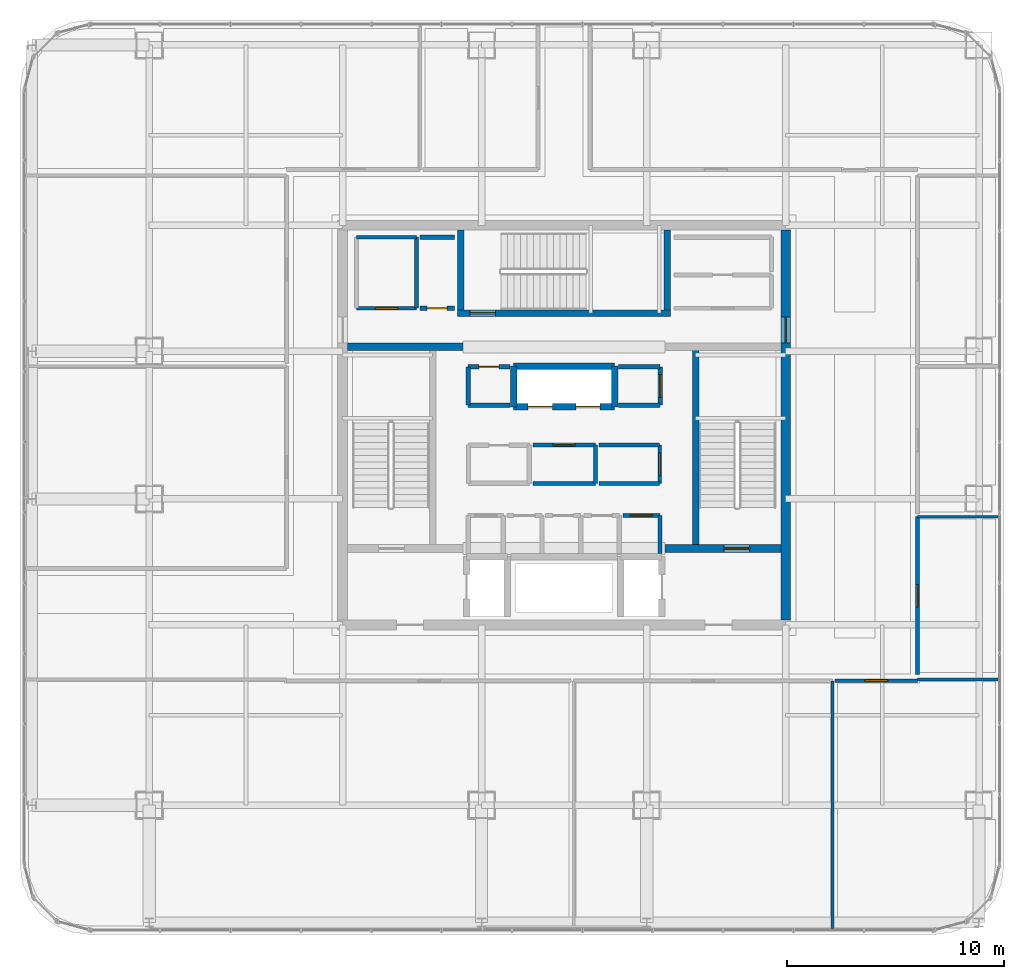
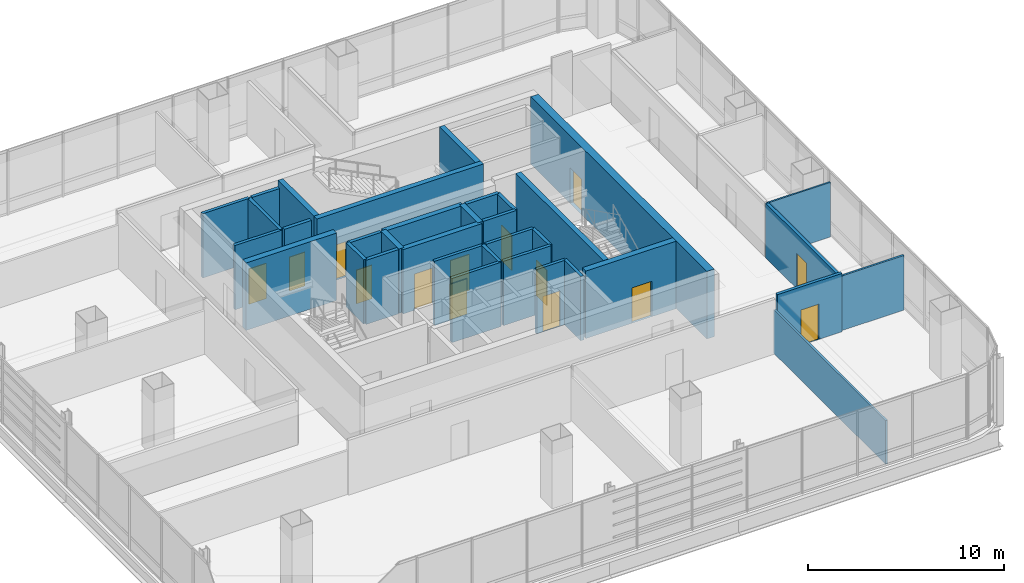
# One storey, part 36 of 43: 35 walls, 14 doors, 14 openings.
"""IFC4 building model written with IfcOpenShell, lengths in metres."""

from ifc_helpers import new_model, si_unit, direction, frame, frame_2d, origin, place, context, subcontext, project, spatial, rectangle, extrude, material, layer, layer_set, type_object, element, fill, save


model = new_model("IFC4")

# Units and contexts
model_context = context("Model", 3, precision=1e-05, world=origin(), true_north=direction((0.0, 1.0)))
body_context = subcontext(model_context, "Body", "Model", "MODEL_VIEW")
ifc_project = project(units=[si_unit("LENGTHUNIT", "METRE"), si_unit("AREAUNIT", "SQUARE_METRE"), si_unit("VOLUMEUNIT", "CUBIC_METRE"), si_unit("PLANEANGLEUNIT", "RADIAN"), si_unit("MASSUNIT", "GRAM", prefix="KILO")], contexts=[model_context])

# Site, building, storey
site_placement = place(None, origin())
site = spatial("IfcSite", under=ifc_project, at=site_placement, CompositionType="ELEMENT")
building_placement = place(site_placement, origin())
building = spatial("IfcBuilding", under=site, at=building_placement, Name="Punatoya Terracotta Tower", CompositionType="ELEMENT")
storey_placement = place(building_placement, frame((0.0, 0.0, 321.60009765625)))
storey = spatial("IfcBuildingStorey", under=building, at=storey_placement, Name="L76", CompositionType="ELEMENT", Elevation=321.60009765625)

# Wall, opening, door
ifc_material_1 = material(Name="Concrete C50/60", Category="concrete")
ifc_layer_1 = layer(ifc_material_1, 0.449951171875)
ifc_layer_set_1 = layer_set([ifc_layer_1], Name="Concrete C50/60")
wall_type_1 = type_object("IfcWallType", Name="WL-COR-450", PredefinedType="SHEAR", material=ifc_layer_set_1)
wall_1_placement = place(storey_placement, frame((10.199951171875, 8.97509765625, 0.0), z_axis=(0.0, 0.0, 1.0), x_axis=(0.0, -1.0, 0.0)))
wall_1 = element("IfcWall", 1, at=wall_1_placement, inside=storey, type_object=wall_type_1, Name="L76 Core Shear Wall E", PredefinedType="SHEAR", context=body_context, shape_type="SweptSolid", body=[
    extrude(rectangle(XDim=17.9501953125, YDim=0.449951171875, at=frame_2d((8.97509765625, 0.0))), origin(), (0.0, 0.0, 1.0), 4.199951171875),
])
opening_1_placement = place(wall_1_placement, frame((4.0048828125, 0.0, 0.0)))
opening_1 = element("IfcOpeningElement", 2, at=opening_1_placement, cuts=wall_1, Name="Opening SD-01", PredefinedType="OPENING", context=body_context, shape_type="SweptSolid", body=[
    extrude(rectangle(XDim=1.179931640625, YDim=2.199951171875, at=frame_2d((0.58984375, 1.10009765625))), frame((0.0, 0.23486328125, 0.0), z_axis=(0.0, -1.0, 0.0), x_axis=(1.0, 0.0, 0.0)), (0.0, 0.0, 1.0), 0.469970703125),
])
ifc_material_2 = material(Name="Galvanised Steel Pressurized Stair Fire Door", Category="steel")
door_type_1 = type_object("IfcDoorType", Name="DR-STR-1180", OperationType="NOTDEFINED", PredefinedType="DOOR", material=ifc_material_2)
door_1_placement = place(opening_1_placement, origin())
door_1 = element("IfcDoor", 3, at=door_1_placement, inside=storey, type_object=door_type_1, Name="L76 Central Lift Lobby East Fire Door", OperationType="SINGLE_SWING_RIGHT", OverallHeight=2.199951171875, OverallWidth=1.179931640625, PredefinedType="DOOR", context=body_context, shape_type="SweptSolid", body=[
    extrude(rectangle(XDim=1.179931640625, YDim=2.199951171875, at=frame_2d((0.58984375, 1.10009765625))), frame((0.0, 0.02490234375, 0.0), z_axis=(0.0, -1.0, 0.0), x_axis=(1.0, 0.0, 0.0)), (0.0, 0.0, 1.0), 0.050048828125),
])
fill(opening_1, door_1)

# Wall
ifc_material_3 = material(Name="Gypsum Fireboard + Steel Stud", Category="steel")
ifc_layer_2 = layer(ifc_material_3, 0.179931640625)
ifc_layer_set_2 = layer_set([ifc_layer_2], Name="Gypsum Fireboard + Steel Stud")
wall_type_2 = type_object("IfcWallType", Name="WL-CORR-180", PredefinedType="PARTITIONING", material=ifc_layer_set_2)
wall_2_placement = place(storey_placement, frame((4.419921875, -5.89990234375, 0.0), z_axis=(0.0, 0.0, 1.0), x_axis=(0.0, 1.0, 0.0)))
element("IfcWall", 4, at=wall_2_placement, inside=storey, type_object=wall_type_2, Name="L76 Core Focus Booth Partition 10", PredefinedType="PARTITIONING", context=body_context, shape_type="SweptSolid", body=[
    extrude(rectangle(XDim=1.739990234375, YDim=0.179931640625, at=frame_2d((0.8701171875, 0.0))), origin(), (0.0, 0.0, 1.0), 4.0),
])

# Wall, opening, door
wall_3_placement = place(storey_placement, frame((4.419921875, -4.159912109375, 0.0), z_axis=(0.0, 0.0, 1.0), x_axis=(-1.0, 0.0, 0.0)))
wall_3 = element("IfcWall", 5, at=wall_3_placement, inside=storey, type_object=wall_type_2, Name="L76 Core Focus Booth Partition 11", PredefinedType="PARTITIONING", context=body_context, shape_type="SweptSolid", body=[
    extrude(rectangle(XDim=1.719970703125, YDim=0.179931640625, at=frame_2d((0.85986328125, 0.0))), origin(), (0.0, 0.0, 1.0), 4.0),
])
opening_2_placement = place(wall_3_placement, frame((0.35009765625, 0.0, 0.0)))
opening_2 = element("IfcOpeningElement", 6, at=opening_2_placement, cuts=wall_3, Name="Opening MD-01", PredefinedType="OPENING", context=body_context, shape_type="SweptSolid", body=[
    extrude(rectangle(XDim=1.02001953125, YDim=2.199951171875, at=frame_2d((0.510009765625, 1.10009765625))), frame((0.0, 0.099853515625, 0.0), z_axis=(0.0, -1.0, 0.0), x_axis=(1.0, 0.0, 0.0)), (0.0, 0.0, 1.0), 0.199951171875),
])
ifc_material_4 = material(Name="Aluminium + Acoustic Glass Leaf", Category="aluminium")
door_type_2 = type_object("IfcDoorType", Name="DR-MTG-1020", OperationType="NOTDEFINED", PredefinedType="DOOR", material=ifc_material_4)
door_2_placement = place(opening_2_placement, origin())
door_2 = element("IfcDoor", 7, at=door_2_placement, inside=storey, type_object=door_type_2, Name="L76 Focus Booth Door", OperationType="SINGLE_SWING_RIGHT", OverallHeight=2.199951171875, OverallWidth=1.02001953125, PredefinedType="DOOR", context=body_context, shape_type="SweptSolid", body=[
    extrude(rectangle(XDim=1.02001953125, YDim=2.199951171875, at=frame_2d((0.510009765625, 1.10009765625))), frame((0.0, 0.02490234375, 0.0), z_axis=(0.0, -1.0, 0.0), x_axis=(1.0, 0.0, 0.0)), (0.0, 0.0, 1.0), 0.050048828125),
])
fill(opening_2, door_2)

# Wall
wall_4_placement = place(storey_placement, frame((1.43994140625, -2.679931640625, 0.0), z_axis=(0.0, 0.0, 1.0), x_axis=(0.0, 1.0, 0.0)))
element("IfcWall", 8, at=wall_4_placement, inside=storey, type_object=wall_type_2, Name="L76 Center Core Briefing Pod Partition 16", PredefinedType="PARTITIONING", context=body_context, shape_type="SweptSolid", body=[
    extrude(rectangle(XDim=1.760009765625, YDim=0.179931640625, at=frame_2d((0.8798828125, 0.0))), origin(), (0.0, 0.0, 1.0), 4.0),
])

# Wall, opening, door
wall_5_placement = place(storey_placement, frame((1.43994140625, -0.919921875, 0.0), z_axis=(0.0, 0.0, 1.0), x_axis=(-1.0, 0.0, 0.0)))
wall_5 = element("IfcWall", 9, at=wall_5_placement, inside=storey, type_object=wall_type_2, Name="L76 Center Core Briefing Pod Partition 17", PredefinedType="PARTITIONING", context=body_context, shape_type="SweptSolid", body=[
    extrude(rectangle(XDim=2.8798828125, YDim=0.179931640625, at=frame_2d((1.43994140625, 0.0))), origin(), (0.0, 0.0, 1.0), 4.0),
])
opening_3_placement = place(wall_5_placement, frame((0.929931640625, 0.0, 0.0)))
opening_3 = element("IfcOpeningElement", 10, at=opening_3_placement, cuts=wall_5, Name="Opening MD-01", PredefinedType="OPENING", context=body_context, shape_type="SweptSolid", body=[
    extrude(rectangle(XDim=1.02001953125, YDim=2.199951171875, at=frame_2d((0.510009765625, 1.10009765625))), frame((0.0, 0.099853515625, 0.0), z_axis=(0.0, -1.0, 0.0), x_axis=(1.0, 0.0, 0.0)), (0.0, 0.0, 1.0), 0.199951171875),
])
door_3_placement = place(opening_3_placement, origin())
door_3 = element("IfcDoor", 11, at=door_3_placement, inside=storey, type_object=door_type_2, Name="L76 Center Briefing Pod Door", OperationType="SINGLE_SWING_RIGHT", OverallHeight=2.199951171875, OverallWidth=1.02001953125, PredefinedType="DOOR", context=body_context, shape_type="SweptSolid", body=[
    extrude(rectangle(XDim=1.02001953125, YDim=2.199951171875, at=frame_2d((0.510009765625, 1.10009765625))), frame((0.0, 0.02490234375, 0.0), z_axis=(0.0, -1.0, 0.0), x_axis=(1.0, 0.0, 0.0)), (0.0, 0.0, 1.0), 0.050048828125),
])
fill(opening_3, door_3)

# Wall
wall_6_placement = place(storey_placement, frame((-1.43994140625, -2.679931640625, 0.0), z_axis=(0.0, 0.0, 1.0), x_axis=(1.0, 0.0, 0.0)))
element("IfcWall", 12, at=wall_6_placement, inside=storey, type_object=wall_type_2, Name="L76 Center Core Briefing Pod Partition 18", PredefinedType="PARTITIONING", context=body_context, shape_type="SweptSolid", body=[
    extrude(rectangle(XDim=2.8798828125, YDim=0.179931640625, at=frame_2d((1.43994140625, 0.0))), origin(), (0.0, 0.0, 1.0), 4.0),
])

# Wall, opening, door
wall_7_placement = place(storey_placement, frame((4.39990234375, -2.679931640625, 0.0), z_axis=(0.0, 0.0, 1.0), x_axis=(0.0, 1.0, 0.0)))
wall_7 = element("IfcWall", 13, at=wall_7_placement, inside=storey, type_object=wall_type_2, Name="L76 Right Core Copy Room Partition 19", PredefinedType="PARTITIONING", context=body_context, shape_type="SweptSolid", body=[
    extrude(rectangle(XDim=1.760009765625, YDim=0.179931640625, at=frame_2d((0.8798828125, 0.0))), origin(), (0.0, 0.0, 1.0), 4.0),
])
opening_4_placement = place(wall_7_placement, frame((0.35498046875, 0.0, 0.0)))
opening_4 = element("IfcOpeningElement", 14, at=opening_4_placement, cuts=wall_7, Name="Opening OD-01", PredefinedType="OPENING", context=body_context, shape_type="SweptSolid", body=[
    extrude(rectangle(XDim=1.050048828125, YDim=2.199951171875, at=frame_2d((0.52490234375, 1.10009765625))), frame((0.0, 0.099853515625, 0.0), z_axis=(0.0, -1.0, 0.0), x_axis=(1.0, 0.0, 0.0)), (0.0, 0.0, 1.0), 0.199951171875),
])
ifc_material_5 = material(Name="Bengal Teak Solid-Core Leaf")
door_type_3 = type_object("IfcDoorType", Name="DR-OFF-1050", OperationType="NOTDEFINED", PredefinedType="DOOR", material=ifc_material_5)
door_4_placement = place(opening_4_placement, origin())
door_4 = element("IfcDoor", 15, at=door_4_placement, inside=storey, type_object=door_type_3, Name="L76 Right Copy Room Door", OperationType="SINGLE_SWING_LEFT", OverallHeight=2.199951171875, OverallWidth=1.050048828125, PredefinedType="DOOR", context=body_context, shape_type="SweptSolid", body=[
    extrude(rectangle(XDim=1.050048828125, YDim=2.199951171875, at=frame_2d((0.52490234375, 1.10009765625))), frame((0.0, 0.02490234375, 0.0), z_axis=(0.0, -1.0, 0.0), x_axis=(1.0, 0.0, 0.0)), (0.0, 0.0, 1.0), 0.050048828125),
])
fill(opening_4, door_4)

# Walls
for number, where, z_axis, x_axis, name in (
    (16, (4.39990234375, -0.919921875, 0.0), (0.0, 0.0, 1.0), (-1.0, 0.0, 0.0), "L76 Right Core Copy Room Partition 20"),
    (17, (1.60009765625, -2.679931640625, 0.0), (0.0, 0.0, 1.0), (1.0, 0.0, 0.0), "L76 Right Core Copy Room Partition 21"),
):
    element("IfcWall", number, at=place(storey_placement, frame(where, z_axis=z_axis, x_axis=x_axis)), inside=storey, type_object=wall_type_2, Name=name, PredefinedType="PARTITIONING", context=body_context, shape_type="SweptSolid", body=[
        extrude(rectangle(XDim=2.7998046875, YDim=0.179931640625, at=frame_2d((1.39990234375, 0.0))), origin(), (0.0, 0.0, 1.0), 4.0),
    ])
wall_8_placement = place(storey_placement, frame((-6.800048828125, 5.3798828125, 0.0), z_axis=(0.0, 0.0, 1.0), x_axis=(0.0, 1.0, 0.0)))
element("IfcWall", 18, at=wall_8_placement, inside=storey, type_object=wall_type_2, Name="L76 West Core Briefing Pod Partition 28", PredefinedType="PARTITIONING", context=body_context, shape_type="SweptSolid", body=[
    extrude(rectangle(XDim=3.27001953125, YDim=0.179931640625, at=frame_2d((1.635009765625, 0.0))), origin(), (0.0, 0.0, 1.0), 4.0),
])
wall_9_placement = place(storey_placement, frame((-6.800048828125, 8.64990234375, 0.0), z_axis=(0.0, 0.0, 1.0), x_axis=(-1.0, 0.0, 0.0)))
element("IfcWall", 19, at=wall_9_placement, inside=storey, type_object=wall_type_2, Name="L76 West Core Briefing Pod Partition 29", PredefinedType="PARTITIONING", context=body_context, shape_type="SweptSolid", body=[
    extrude(rectangle(XDim=2.75, YDim=0.179931640625, at=frame_2d((1.375, 0.0))), origin(), (0.0, 0.0, 1.0), 4.0),
])

# Wall, opening, door
wall_10_placement = place(storey_placement, frame((-9.550048828125, 5.3798828125, 0.0), z_axis=(0.0, 0.0, 1.0), x_axis=(1.0, 0.0, 0.0)))
wall_10 = element("IfcWall", 20, at=wall_10_placement, inside=storey, type_object=wall_type_2, Name="L76 West Core Briefing Pod Partition 31", PredefinedType="PARTITIONING", context=body_context, shape_type="SweptSolid", body=[
    extrude(rectangle(XDim=2.75, YDim=0.179931640625, at=frame_2d((1.375, 0.0))), origin(), (0.0, 0.0, 1.0), 4.0),
])
opening_5_placement = place(wall_10_placement, frame((0.864990234375, 0.0, 0.0)))
opening_5 = element("IfcOpeningElement", 21, at=opening_5_placement, cuts=wall_10, Name="Opening MD-01", PredefinedType="OPENING", context=body_context, shape_type="SweptSolid", body=[
    extrude(rectangle(XDim=1.02001953125, YDim=2.199951171875, at=frame_2d((0.510009765625, 1.10009765625))), frame((0.0, 0.099853515625, 0.0), z_axis=(0.0, -1.0, 0.0), x_axis=(1.0, 0.0, 0.0)), (0.0, 0.0, 1.0), 0.199951171875),
])
door_5_placement = place(opening_5_placement, origin())
door_5 = element("IfcDoor", 22, at=door_5_placement, inside=storey, type_object=door_type_2, Name="L76 West Briefing Pod Door", OperationType="SINGLE_SWING_RIGHT", OverallHeight=2.199951171875, OverallWidth=1.02001953125, PredefinedType="DOOR", context=body_context, shape_type="SweptSolid", body=[
    extrude(rectangle(XDim=1.02001953125, YDim=2.199951171875, at=frame_2d((0.510009765625, 1.10009765625))), frame((0.0, 0.02490234375, 0.0), z_axis=(0.0, -1.0, 0.0), x_axis=(1.0, 0.0, 0.0)), (0.0, 0.0, 1.0), 0.050048828125),
])
fill(opening_5, door_5)

wall_11_placement = place(storey_placement, frame((12.47607421875, -11.77001953125, 0.0), z_axis=(0.0, 0.0, 1.0), x_axis=(1.0, 0.0, 0.0)))
wall_11 = element("IfcWall", 23, at=wall_11_placement, inside=storey, type_object=wall_type_2, Name="L76 Open-Plan Project Design Office Partition 45", PredefinedType="PARTITIONING", context=body_context, shape_type="SweptSolid", body=[
    extrude(rectangle(XDim=3.7939453125, YDim=0.179931640625, at=frame_2d((1.89697265625, 0.0))), origin(), (0.0, 0.0, 1.0), 3.6337890625),
])
opening_6_placement = place(wall_11_placement, frame((1.3720703125, 0.0, 0.0)))
opening_6 = element("IfcOpeningElement", 24, at=opening_6_placement, cuts=wall_11, Name="Opening OD-01", PredefinedType="OPENING", context=body_context, shape_type="SweptSolid", body=[
    extrude(rectangle(XDim=1.050048828125, YDim=2.199951171875, at=frame_2d((0.52490234375, 1.10009765625))), frame((0.0, 0.099853515625, 0.0), z_axis=(0.0, -1.0, 0.0), x_axis=(1.0, 0.0, 0.0)), (0.0, 0.0, 1.0), 0.199951171875),
])
door_6_placement = place(opening_6_placement, origin())
door_6 = element("IfcDoor", 25, at=door_6_placement, inside=storey, type_object=door_type_3, Name="L76 Open-Plan Project Design Office Door", OperationType="SINGLE_SWING_RIGHT", OverallHeight=2.199951171875, OverallWidth=1.050048828125, PredefinedType="DOOR", context=body_context, shape_type="SweptSolid", body=[
    extrude(rectangle(XDim=1.050048828125, YDim=2.199951171875, at=frame_2d((0.52490234375, 1.10009765625))), frame((0.0, 0.02490234375, 0.0), z_axis=(0.0, -1.0, 0.0), x_axis=(1.0, 0.0, 0.0)), (0.0, 0.0, 1.0), 0.050048828125),
])
fill(opening_6, door_6)

wall_12_placement = place(storey_placement, frame((16.27001953125, -11.489990234375, 0.0), z_axis=(0.0, 0.0, 1.0), x_axis=(0.0, 1.0, 0.0)))
wall_12 = element("IfcWall", 26, at=wall_12_placement, inside=storey, type_object=wall_type_2, Name="L76 Client Strategy Boardroom Partition 47", PredefinedType="PARTITIONING", context=body_context, shape_type="SweptSolid", body=[
    extrude(rectangle(XDim=7.27197265625, YDim=0.179931640625, at=frame_2d((3.635986328125, 0.0))), origin(), (0.0, 0.0, 1.0), 3.393798828125),
])
opening_7_placement = place(wall_12_placement, frame((3.1259765625, 0.0, 0.0)))
opening_7 = element("IfcOpeningElement", 27, at=opening_7_placement, cuts=wall_12, Name="Opening MD-01", PredefinedType="OPENING", context=body_context, shape_type="SweptSolid", body=[
    extrude(rectangle(XDim=1.02001953125, YDim=2.199951171875, at=frame_2d((0.510009765625, 1.10009765625))), frame((0.0, 0.099853515625, 0.0), z_axis=(0.0, -1.0, 0.0), x_axis=(1.0, 0.0, 0.0)), (0.0, 0.0, 1.0), 0.199951171875),
])
door_7_placement = place(opening_7_placement, origin())
door_7 = element("IfcDoor", 28, at=door_7_placement, inside=storey, type_object=door_type_2, Name="L76 Client Strategy Boardroom Door", OperationType="SINGLE_SWING_LEFT", OverallHeight=2.199951171875, OverallWidth=1.02001953125, PredefinedType="DOOR", context=body_context, shape_type="SweptSolid", body=[
    extrude(rectangle(XDim=1.02001953125, YDim=2.199951171875, at=frame_2d((0.510009765625, 1.10009765625))), frame((0.0, 0.02490234375, 0.0), z_axis=(0.0, -1.0, 0.0), x_axis=(1.0, 0.0, 0.0)), (0.0, 0.0, 1.0), 0.050048828125),
])
fill(opening_7, door_7)

# Wall
ifc_material_6 = material(Name="Aluminium Framed Acoustic Glass Partition", Category="aluminium")
ifc_layer_3 = layer(ifc_material_6, 0.10009765625)
ifc_layer_set_3 = layer_set([ifc_layer_3], Name="Aluminium Framed Acoustic Glass Partition")
wall_type_3 = type_object("IfcWallType", Name="WL-GLZ-100", PredefinedType="PARTITIONING", material=ifc_layer_set_3)
wall_13_placement = place(storey_placement, frame((16.27001953125, -4.218017578125, 0.0), z_axis=(0.0, 0.0, 1.0), x_axis=(1.0, 0.0, 0.0)))
element("IfcWall", 29, at=wall_13_placement, inside=storey, type_object=wall_type_3, Name="L76 Client Strategy Boardroom Partition 46", PredefinedType="PARTITIONING", context=body_context, shape_type="SweptSolid", body=[
    extrude(rectangle(XDim=3.699951171875, YDim=0.10009765625, at=frame_2d((1.85009765625, 0.0))), origin(), (0.0, 0.0, 1.0), 3.393798828125),
])

# Wall, opening, door
ifc_material_7 = material(Name="Concrete C40/50", Category="concrete")
ifc_layer_4 = layer(ifc_material_7, 0.199951171875)
ifc_layer_set_4 = layer_set([ifc_layer_4], Name="Concrete C40/50")
wall_type_4 = type_object("IfcWallType", Name="WL-INT-200", PredefinedType="SOLIDWALL", material=ifc_layer_set_4)
wall_14_placement = place(storey_placement, frame((-2.5, 2.679931640625, 0.0), z_axis=(0.0, 0.0, 1.0), x_axis=(-1.0, 0.0, 0.0)))
wall_14 = element("IfcWall", 30, at=wall_14_placement, inside=storey, type_object=wall_type_4, Name="L76 Core Security Equipment Closet Partition 22", PredefinedType="SOLIDWALL", context=body_context, shape_type="SweptSolid", body=[
    extrude(rectangle(XDim=1.919921875, YDim=0.199951171875, at=frame_2d((0.9599609375, 0.0))), origin(), (0.0, 0.0, 1.0), 4.0),
])
opening_8_placement = place(wall_14_placement, frame((0.5, 0.0, 0.0)))
opening_8 = element("IfcOpeningElement", 31, at=opening_8_placement, cuts=wall_14, Name="Opening FD-R1", PredefinedType="OPENING", context=body_context, shape_type="SweptSolid", body=[
    extrude(rectangle(XDim=0.919921875, YDim=2.10009765625, at=frame_2d((0.4599609375, 1.050048828125))), frame((0.0, 0.10986328125, 0.0), z_axis=(0.0, -1.0, 0.0), x_axis=(1.0, 0.0, 0.0)), (0.0, 0.0, 1.0), 0.219970703125),
])
ifc_material_8 = material(Name="Galvanised Steel Riser Fire Access Door", Category="steel")
door_type_4 = type_object("IfcDoorType", Name="DR-RSR-920", OperationType="NOTDEFINED", PredefinedType="DOOR", material=ifc_material_8)
door_8_placement = place(opening_8_placement, origin())
door_8 = element("IfcDoor", 32, at=door_8_placement, inside=storey, type_object=door_type_4, Name="L76 Core Security Equipment Closet Fire Door", OperationType="SINGLE_SWING_RIGHT", OverallHeight=2.10009765625, OverallWidth=0.919921875, PredefinedType="DOOR", context=body_context, shape_type="SweptSolid", body=[
    extrude(rectangle(XDim=0.919921875, YDim=2.10009765625, at=frame_2d((0.4599609375, 1.050048828125))), frame((0.0, 0.02490234375, 0.0), z_axis=(0.0, -1.0, 0.0), x_axis=(1.0, 0.0, 0.0)), (0.0, 0.0, 1.0), 0.050048828125),
])
fill(opening_8, door_8)

# Walls
wall_15_placement = place(storey_placement, frame((-4.419921875, 2.679931640625, 0.0), z_axis=(0.0, 0.0, 1.0), x_axis=(0.0, -1.0, 0.0)))
element("IfcWall", 33, at=wall_15_placement, inside=storey, type_object=wall_type_4, Name="L76 Core Security Equipment Closet Partition 23", PredefinedType="SOLIDWALL", context=body_context, shape_type="SweptSolid", body=[
    extrude(rectangle(XDim=1.760009765625, YDim=0.199951171875, at=frame_2d((0.8798828125, 0.0))), origin(), (0.0, 0.0, 1.0), 4.0),
])
wall_16_placement = place(storey_placement, frame((-4.419921875, 0.919921875, 0.0), z_axis=(0.0, 0.0, 1.0), x_axis=(1.0, 0.0, 0.0)))
element("IfcWall", 34, at=wall_16_placement, inside=storey, type_object=wall_type_4, Name="L76 Core Security Equipment Closet Partition 24", PredefinedType="SOLIDWALL", context=body_context, shape_type="SweptSolid", body=[
    extrude(rectangle(XDim=1.919921875, YDim=0.199951171875, at=frame_2d((0.9599609375, 0.0))), origin(), (0.0, 0.0, 1.0), 4.0),
])

# Wall, opening, door
wall_17_placement = place(storey_placement, frame((4.419921875, 0.919921875, 0.0), z_axis=(0.0, 0.0, 1.0), x_axis=(0.0, 1.0, 0.0)))
wall_17 = element("IfcWall", 35, at=wall_17_placement, inside=storey, type_object=wall_type_4, Name="L76 Executive Steward Pantry Partition 25", PredefinedType="SOLIDWALL", context=body_context, shape_type="SweptSolid", body=[
    extrude(rectangle(XDim=1.760009765625, YDim=0.199951171875, at=frame_2d((0.8798828125, 0.0))), origin(), (0.0, 0.0, 1.0), 4.0),
])
opening_9_placement = place(wall_17_placement, frame((0.35498046875, 0.0, 0.0)))
opening_9 = element("IfcOpeningElement", 36, at=opening_9_placement, cuts=wall_17, Name="Opening OD-01", PredefinedType="OPENING", context=body_context, shape_type="SweptSolid", body=[
    extrude(rectangle(XDim=1.050048828125, YDim=2.199951171875, at=frame_2d((0.52490234375, 1.10009765625))), frame((0.0, 0.10986328125, 0.0), z_axis=(0.0, -1.0, 0.0), x_axis=(1.0, 0.0, 0.0)), (0.0, 0.0, 1.0), 0.219970703125),
])
door_9_placement = place(opening_9_placement, origin())
door_9 = element("IfcDoor", 37, at=door_9_placement, inside=storey, type_object=door_type_3, Name="L76 Executive Steward Pantry Door", OperationType="SINGLE_SWING_LEFT", OverallHeight=2.199951171875, OverallWidth=1.050048828125, PredefinedType="DOOR", context=body_context, shape_type="SweptSolid", body=[
    extrude(rectangle(XDim=1.050048828125, YDim=2.199951171875, at=frame_2d((0.52490234375, 1.10009765625))), frame((0.0, 0.02490234375, 0.0), z_axis=(0.0, -1.0, 0.0), x_axis=(1.0, 0.0, 0.0)), (0.0, 0.0, 1.0), 0.050048828125),
])
fill(opening_9, door_9)

# Walls
for number, where, z_axis, x_axis, name in (
    (38, (4.419921875, 2.679931640625, 0.0), (0.0, 0.0, 1.0), (-1.0, 0.0, 0.0), "L76 Executive Steward Pantry Partition 26"),
    (39, (2.5, 0.919921875, 0.0), (0.0, 0.0, 1.0), (1.0, 0.0, 0.0), "L76 Executive Steward Pantry Partition 27"),
):
    element("IfcWall", number, at=place(storey_placement, frame(where, z_axis=z_axis, x_axis=x_axis)), inside=storey, type_object=wall_type_4, Name=name, PredefinedType="SOLIDWALL", context=body_context, shape_type="SweptSolid", body=[
        extrude(rectangle(XDim=1.919921875, YDim=0.199951171875, at=frame_2d((0.9599609375, 0.0))), origin(), (0.0, 0.0, 1.0), 4.0),
    ])
wall_18_placement = place(storey_placement, frame((-5.050048828125, 8.64990234375, 0.0), z_axis=(0.0, 0.0, 1.0), x_axis=(-1.0, 0.0, 0.0)))
element("IfcWall", 40, at=wall_18_placement, inside=storey, type_object=wall_type_4, Name="L76 West Core Supply Store Partition 32", PredefinedType="SOLIDWALL", context=body_context, shape_type="SweptSolid", body=[
    extrude(rectangle(XDim=1.58984375, YDim=0.199951171875, at=frame_2d((0.794921875, 0.0))), origin(), (0.0, 0.0, 1.0), 4.0),
])

# Wall, opening, door
wall_19_placement = place(storey_placement, frame((-6.639892578125, 5.3798828125, 0.0), z_axis=(0.0, 0.0, 1.0), x_axis=(1.0, 0.0, 0.0)))
wall_19 = element("IfcWall", 41, at=wall_19_placement, inside=storey, type_object=wall_type_4, Name="L76 West Core Supply Store Partition 33", PredefinedType="SOLIDWALL", context=body_context, shape_type="SweptSolid", body=[
    extrude(rectangle(XDim=1.58984375, YDim=0.199951171875, at=frame_2d((0.794921875, 0.0))), origin(), (0.0, 0.0, 1.0), 4.0),
])
opening_10_placement = place(wall_19_placement, frame((0.3349609375, 0.0, 0.0)))
opening_10 = element("IfcOpeningElement", 42, at=opening_10_placement, cuts=wall_19, Name="Opening FD-R1", PredefinedType="OPENING", context=body_context, shape_type="SweptSolid", body=[
    extrude(rectangle(XDim=0.919921875, YDim=2.10009765625, at=frame_2d((0.4599609375, 1.050048828125))), frame((0.0, 0.10986328125, 0.0), z_axis=(0.0, -1.0, 0.0), x_axis=(1.0, 0.0, 0.0)), (0.0, 0.0, 1.0), 0.219970703125),
])
door_10_placement = place(opening_10_placement, origin())
door_10 = element("IfcDoor", 43, at=door_10_placement, inside=storey, type_object=door_type_4, Name="L76 West Core Supply Store Fire Door", OperationType="SINGLE_SWING_LEFT", OverallHeight=2.10009765625, OverallWidth=0.919921875, PredefinedType="DOOR", context=body_context, shape_type="SweptSolid", body=[
    extrude(rectangle(XDim=0.919921875, YDim=2.10009765625, at=frame_2d((0.4599609375, 1.050048828125))), frame((0.0, 0.02490234375, 0.0), z_axis=(0.0, -1.0, 0.0), x_axis=(1.0, 0.0, 0.0)), (0.0, 0.0, 1.0), 0.050048828125),
])
fill(opening_10, door_10)

# Walls
ifc_material_9 = material(Name="Gypsum Partition + Steel Stud", Category="steel")
ifc_layer_5 = layer(ifc_material_9, 0.1201171875)
ifc_layer_set_5 = layer_set([ifc_layer_5], Name="Gypsum Partition + Steel Stud")
wall_type_5 = type_object("IfcWallType", Name="WL-OFF-120", PredefinedType="PARTITIONING", material=ifc_layer_set_5)
wall_20_placement = place(storey_placement, frame((12.35595703125, -11.77001953125, 0.0), z_axis=(0.0, 0.0, 1.0), x_axis=(0.0, -1.0, 0.0)))
element("IfcWall", 44, at=wall_20_placement, inside=storey, type_object=wall_type_5, Name="L76 Open Workplace Studio Partition 39", PredefinedType="PARTITIONING", context=body_context, shape_type="SweptSolid", body=[
    extrude(rectangle(XDim=11.39990234375, YDim=0.1201171875, at=frame_2d((5.699951171875, 0.0))), origin(), (0.0, 0.0, 1.0), 2.7138671875),
])
wall_21_placement = place(storey_placement, frame((16.27001953125, -11.7099609375, 0.0), z_axis=(0.0, 0.0, 1.0), x_axis=(1.0, 0.0, 0.0)))
element("IfcWall", 45, at=wall_21_placement, inside=storey, type_object=wall_type_5, Name="L76 Open-Plan Project Design Office Partition 44", PredefinedType="PARTITIONING", context=body_context, shape_type="SweptSolid", body=[
    extrude(rectangle(XDim=3.699951171875, YDim=0.1201171875, at=frame_2d((1.85009765625, 0.0))), origin(), (0.0, 0.0, 1.0), 3.393798828125),
])
ifc_layer_6 = layer(ifc_material_7, 0.300048828125)
ifc_layer_set_6 = layer_set([ifc_layer_6], Name="Concrete C40/50")
wall_type_6 = type_object("IfcWallType", Name="WL-SHF-300", PredefinedType="SOLIDWALL", material=ifc_layer_set_6)
wall_22_placement = place(storey_placement, frame((6.050048828125, 3.449951171875, 0.0), z_axis=(0.0, 0.0, 1.0), x_axis=(0.0, -1.0, 0.0)))
element("IfcWall", 46, at=wall_22_placement, inside=storey, type_object=wall_type_6, Name="L76 Structural Stair Shaft Wall SW-ST2-W", PredefinedType="SOLIDWALL", context=body_context, shape_type="SweptSolid", body=[
    extrude(rectangle(XDim=8.949951171875, YDim=0.300048828125, at=frame_2d((4.47509765625, 0.0))), origin(), (0.0, 0.0, 1.0), 4.199951171875),
])
for number, where, z_axis, x_axis, name in (
    (47, (-4.75, 5.300048828125, 0.0), (0.0, 0.0, 1.0), (0.0, 1.0, 0.0), "L76 Structural Stair Shaft Wall SW-ST3-W"),
    (48, (4.75, 8.97509765625, 0.0), (0.0, 0.0, 1.0), (0.0, -1.0, 0.0), "L76 Structural Stair Shaft Wall SW-ST3-E"),
):
    element("IfcWall", number, at=place(storey_placement, frame(where, z_axis=z_axis, x_axis=x_axis)), inside=storey, type_object=wall_type_6, Name=name, PredefinedType="SOLIDWALL", context=body_context, shape_type="SweptSolid", body=[
        extrude(rectangle(XDim=3.675048828125, YDim=0.300048828125, at=frame_2d((1.83740234375, 0.0))), origin(), (0.0, 0.0, 1.0), 4.199951171875),
    ])

# Wall, opening, door
wall_23_placement = place(storey_placement, frame((-4.89990234375, 5.14990234375, 0.0), z_axis=(0.0, 0.0, 1.0), x_axis=(1.0, 0.0, 0.0)))
wall_23 = element("IfcWall", 49, at=wall_23_placement, inside=storey, type_object=wall_type_6, Name="L76 Structural Stair Shaft Wall SW-ST3-S", PredefinedType="SOLIDWALL", context=body_context, shape_type="SweptSolid", body=[
    extrude(rectangle(XDim=9.7998046875, YDim=0.300048828125, at=frame_2d((4.89990234375, 0.0))), origin(), (0.0, 0.0, 1.0), 4.199951171875),
])
opening_11_placement = place(wall_23_placement, frame((0.56005859375, 0.0, 0.0)))
opening_11 = element("IfcOpeningElement", 50, at=opening_11_placement, cuts=wall_23, Name="Opening SD-01", PredefinedType="OPENING", context=body_context, shape_type="SweptSolid", body=[
    extrude(rectangle(XDim=1.179931640625, YDim=2.199951171875, at=frame_2d((0.58984375, 1.10009765625))), frame((0.0, 0.159912109375, 0.0), z_axis=(0.0, -1.0, 0.0), x_axis=(1.0, 0.0, 0.0)), (0.0, 0.0, 1.0), 0.320068359375),
])
door_11_placement = place(opening_11_placement, origin())
door_11 = element("IfcDoor", 51, at=door_11_placement, inside=storey, type_object=door_type_1, Name="L76 Stair ST-3 Core Lobby Fire Door", OperationType="SINGLE_SWING_LEFT", OverallHeight=2.199951171875, OverallWidth=1.179931640625, PredefinedType="DOOR", context=body_context, shape_type="SweptSolid", body=[
    extrude(rectangle(XDim=1.179931640625, YDim=2.199951171875, at=frame_2d((0.58984375, 1.10009765625))), frame((0.0, 0.02490234375, 0.0), z_axis=(0.0, -1.0, 0.0), x_axis=(1.0, 0.0, 0.0)), (0.0, 0.0, 1.0), 0.050048828125),
])
fill(opening_11, door_11)

# Wall, openings, doors
wall_24_placement = place(storey_placement, frame((-2.320068359375, 0.840087890625, 0.0), z_axis=(0.0, 0.0, 1.0), x_axis=(1.0, 0.0, 0.0)))
wall_24 = element("IfcWall", 52, at=wall_24_placement, inside=storey, type_object=wall_type_6, Name="L76 North Lift Bank Front Shaft Wall", PredefinedType="SOLIDWALL", context=body_context, shape_type="SweptSolid", body=[
    extrude(rectangle(XDim=4.64013671875, YDim=0.300048828125, at=frame_2d((2.320068359375, 0.0))), origin(), (0.0, 0.0, 1.0), 4.0),
])
opening_12_placement = place(wall_24_placement, frame((0.659912109375, 0.0, 0.0)))
opening_12 = element("IfcOpeningElement", 53, at=opening_12_placement, cuts=wall_24, Name="Opening LD-02", PredefinedType="OPENING", context=body_context, shape_type="SweptSolid", body=[
    extrude(rectangle(XDim=1.1201171875, YDim=2.25, at=frame_2d((0.56005859375, 1.125))), frame((0.0, 0.159912109375, 0.0), z_axis=(0.0, -1.0, 0.0), x_axis=(1.0, 0.0, 0.0)), (0.0, 0.0, 1.0), 0.320068359375),
])
opening_13_placement = place(wall_24_placement, frame((2.860107421875, 0.0, 0.0)))
opening_13 = element("IfcOpeningElement", 54, at=opening_13_placement, cuts=wall_24, Name="Opening LD-02", PredefinedType="OPENING", context=body_context, shape_type="SweptSolid", body=[
    extrude(rectangle(XDim=1.1201171875, YDim=2.25, at=frame_2d((0.56005859375, 1.125))), frame((0.0, 0.159912109375, 0.0), z_axis=(0.0, -1.0, 0.0), x_axis=(1.0, 0.0, 0.0)), (0.0, 0.0, 1.0), 0.320068359375),
])
ifc_material_10 = material(Name="Stainless Steel Lift Landing Door", Category="steel")
door_type_5 = type_object("IfcDoorType", Name="DR-LND-1120", OperationType="NOTDEFINED", PredefinedType="DOOR", material=ifc_material_10)
door_12_placement = place(opening_12_placement, origin())
door_12 = element("IfcDoor", 55, at=door_12_placement, inside=storey, type_object=door_type_5, Name="L76 Lift PL-E1 Sliding Landing Door", OperationType="DOUBLE_DOOR_SLIDING", OverallHeight=2.25, OverallWidth=1.1201171875, PredefinedType="DOOR", context=body_context, shape_type="SweptSolid", body=[
    extrude(rectangle(XDim=1.1201171875, YDim=2.25, at=frame_2d((0.56005859375, 1.125))), frame((0.0, 0.02490234375, 0.0), z_axis=(0.0, -1.0, 0.0), x_axis=(1.0, 0.0, 0.0)), (0.0, 0.0, 1.0), 0.050048828125),
])
fill(opening_12, door_12)
door_13_placement = place(opening_13_placement, origin())
door_13 = element("IfcDoor", 56, at=door_13_placement, inside=storey, type_object=door_type_5, Name="L76 Lift PL-E2 Sliding Landing Door", OperationType="DOUBLE_DOOR_SLIDING", OverallHeight=2.25, OverallWidth=1.1201171875, PredefinedType="DOOR", context=body_context, shape_type="SweptSolid", body=[
    extrude(rectangle(XDim=1.1201171875, YDim=2.25, at=frame_2d((0.56005859375, 1.125))), frame((0.0, 0.02490234375, 0.0), z_axis=(0.0, -1.0, 0.0), x_axis=(1.0, 0.0, 0.0)), (0.0, 0.0, 1.0), 0.050048828125),
])
fill(opening_13, door_13)

# Walls
wall_25_placement = place(storey_placement, frame((-2.320068359375, 2.719970703125, 0.0), z_axis=(0.0, 0.0, 1.0), x_axis=(1.0, 0.0, 0.0)))
element("IfcWall", 57, at=wall_25_placement, inside=storey, type_object=wall_type_6, Name="L76 North Lift Bank Rear Shaft Wall", PredefinedType="SOLIDWALL", context=body_context, shape_type="SweptSolid", body=[
    extrude(rectangle(XDim=4.64013671875, YDim=0.300048828125, at=frame_2d((2.320068359375, 0.0))), origin(), (0.0, 0.0, 1.0), 4.0),
])
for number, where, z_axis, x_axis, name in (
    (58, (-2.320068359375, 0.840087890625, 0.0), (0.0, 0.0, 1.0), (0.0, 1.0, 0.0), "L76 North Lift Bank West End Wall"),
    (59, (2.320068359375, 0.840087890625, 0.0), (0.0, 0.0, 1.0), (0.0, 1.0, 0.0), "L76 North Lift Bank East End Wall"),
):
    element("IfcWall", number, at=place(storey_placement, frame(where, z_axis=z_axis, x_axis=x_axis)), inside=storey, type_object=wall_type_6, Name=name, PredefinedType="SOLIDWALL", context=body_context, shape_type="SweptSolid", body=[
        extrude(rectangle(XDim=1.8798828125, YDim=0.300048828125, at=frame_2d((0.93994140625, 0.0))), origin(), (0.0, 0.0, 1.0), 4.0),
    ])

# Wall, opening, door
ifc_layer_7 = layer(ifc_material_1, 0.35009765625)
ifc_layer_set_7 = layer_set([ifc_layer_7], Name="Concrete C50/60")
wall_type_7 = type_object("IfcWallType", Name="WL-SHF-350", PredefinedType="SOLIDWALL", material=ifc_layer_set_7)
wall_26_placement = place(storey_placement, frame((4.64990234375, -5.679931640625, 0.0), z_axis=(0.0, 0.0, 1.0), x_axis=(1.0, 0.0, 0.0)))
wall_26 = element("IfcWall", 60, at=wall_26_placement, inside=storey, type_object=wall_type_7, Name="L76 Core Web Wall CSW-R", PredefinedType="SOLIDWALL", context=body_context, shape_type="SweptSolid", body=[
    extrude(rectangle(XDim=5.3251953125, YDim=0.35009765625, at=frame_2d((2.66259765625, 0.0))), origin(), (0.0, 0.0, 1.0), 4.199951171875),
])
opening_14_placement = place(wall_26_placement, frame((2.7099609375, 0.0, 0.0)))
opening_14 = element("IfcOpeningElement", 61, at=opening_14_placement, cuts=wall_26, Name="Opening SD-01", PredefinedType="OPENING", context=body_context, shape_type="SweptSolid", body=[
    extrude(rectangle(XDim=1.179931640625, YDim=2.199951171875, at=frame_2d((0.58984375, 1.10009765625))), frame((0.0, 0.18505859375, 0.0), z_axis=(0.0, -1.0, 0.0), x_axis=(1.0, 0.0, 0.0)), (0.0, 0.0, 1.0), 0.3701171875),
])
door_14_placement = place(opening_14_placement, origin())
door_14 = element("IfcDoor", 62, at=door_14_placement, inside=storey, type_object=door_type_1, Name="L76 Stair ST-2 Smokeproof Lobby Fire Door", OperationType="SINGLE_SWING_RIGHT", OverallHeight=2.199951171875, OverallWidth=1.179931640625, PredefinedType="DOOR", context=body_context, shape_type="SweptSolid", body=[
    extrude(rectangle(XDim=1.179931640625, YDim=2.199951171875, at=frame_2d((0.58984375, 1.10009765625))), frame((0.0, 0.02490234375, 0.0), z_axis=(0.0, -1.0, 0.0), x_axis=(1.0, 0.0, 0.0)), (0.0, 0.0, 1.0), 0.050048828125),
])
fill(opening_14, door_14)

# Wall
wall_27_placement = place(storey_placement, frame((-9.97509765625, 3.60009765625, 0.0), z_axis=(0.0, 0.0, 1.0), x_axis=(1.0, 0.0, 0.0)))
element("IfcWall", 63, at=wall_27_placement, inside=storey, type_object=wall_type_7, Name="L76 Core Web Wall CNW-L", PredefinedType="SOLIDWALL", context=body_context, shape_type="SweptSolid", body=[
    extrude(rectangle(XDim=5.3251953125, YDim=0.35009765625, at=frame_2d((2.66259765625, 0.0))), origin(), (0.0, 0.0, 1.0), 4.199951171875),
])

save(model, "model.ifc")
